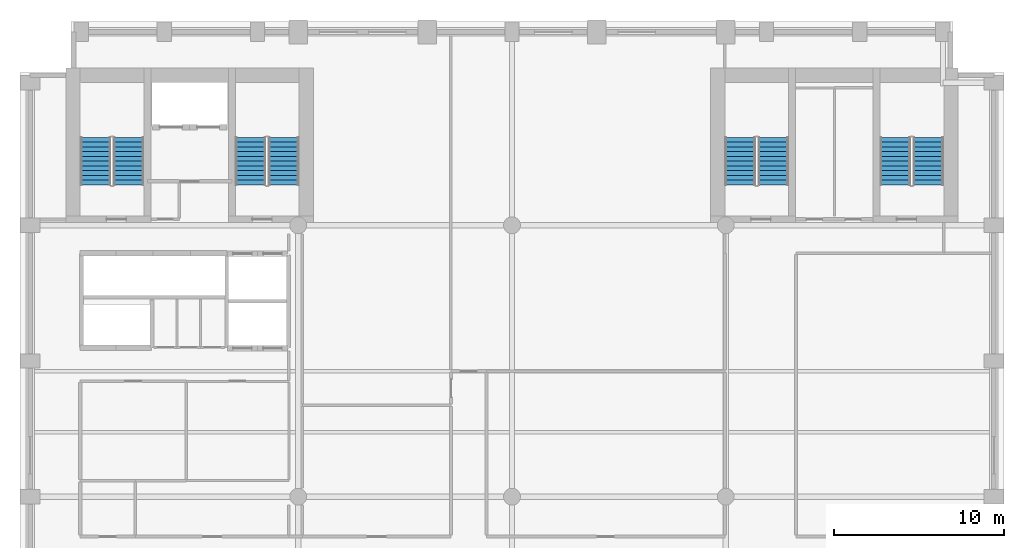
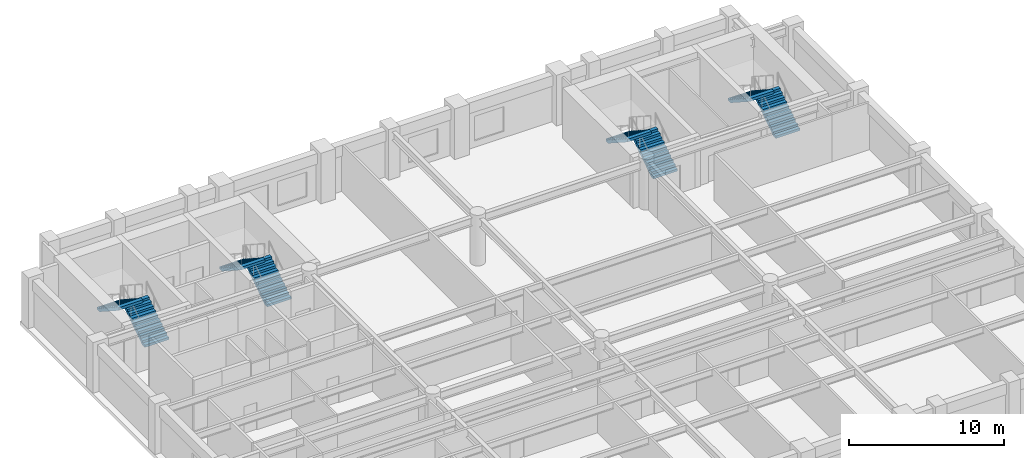
# One storey, part 6 of 8: 8 stair flights, 4 elements without a shape of their own.
"""IFC4 building model written with IfcOpenShell, lengths in metres."""

import ifcopenshell
import ifcopenshell.guid

model = None  # the IFC model being written
_history = None  # IfcOwnerHistory: only IFC2X3 demands one
_inside = {}  # id of a spatial element -> (the spatial element, [elements in it])
_under = {}  # id of a project, library or spatial element -> (it, [spatial elements below it])
_declared = {}  # id of a project -> (the project, [libraries it declares])
_typed = {}  # id of a type object -> (the type object, [elements of that type])
_made_of = {}  # id of a material, layer set ... -> (it, [elements and type objects made of it])


def new_model(schema):
    """Start an empty IFC model of exactly this schema.

    Asked for "IFC4X3", IfcOpenShell would pick the latest addendum, in which some entities
    have other attributes; the version numbers below select the first issue.
    IFC2X3 requires an IfcOwnerHistory on every rooted entity: one is made here for all.
    """
    global model, _history
    if schema == "IFC4X3":
        model = ifcopenshell.file(schema_version=(4, 3, 0, 0))
    else:
        model = ifcopenshell.file(schema=schema)
    _inside.clear()
    _under.clear()
    _declared.clear()
    _typed.clear()
    _made_of.clear()
    _history = None
    if model.schema == "IFC2X3":
        org = make("IfcOrganization", Name="unknown")
        user = make(
            "IfcPersonAndOrganization",
            ThePerson=make("IfcPerson", FamilyName="unknown"),
            TheOrganization=org,
        )
        app = make(
            "IfcApplication",
            ApplicationDeveloper=org,
            Version="unknown",
            ApplicationFullName="unknown",
            ApplicationIdentifier="unknown",
        )
        _history = make(
            "IfcOwnerHistory",
            OwningUser=user,
            OwningApplication=app,
            ChangeAction="ADDED",
            CreationDate=0,
        )
    return model


def make(cls, **values):
    """One entity of the class cls with the attributes given. An attribute that is None is left unset."""
    return model.create_entity(
        cls, **{name: value for name, value in values.items() if value is not None}
    )


def rooted(cls, **values):
    """An entity with a GlobalId (a new one), such as an element, a storey or a relation."""
    return make(cls, GlobalId=ifcopenshell.guid.new(), OwnerHistory=_history, **values)


def si_unit(unit_type, name, prefix=None):
    """IfcSIUnit, for example si_unit("LENGTHUNIT", "METRE", prefix="MILLI")."""
    return make("IfcSIUnit", UnitType=unit_type, Prefix=prefix, Name=name)


def assignment(units):
    """IfcUnitAssignment: the units of a project."""
    return None if units is None else make("IfcUnitAssignment", Units=units)


def point(xyz):
    """IfcCartesianPoint."""
    return None if xyz is None else make("IfcCartesianPoint", Coordinates=xyz)


def direction(xyz):
    """IfcDirection."""
    return None if xyz is None else make("IfcDirection", DirectionRatios=xyz)


def frame(location, z_axis=None, x_axis=None):
    """IfcAxis2Placement3D, a coordinate frame: its origin and axes. An axis left out is left unset."""
    return make(
        "IfcAxis2Placement3D",
        Location=point(location),
        Axis=direction(z_axis),
        RefDirection=direction(x_axis),
    )


def origin():
    """The frame at (0, 0, 0) with its axes left unset."""
    return frame((0.0, 0.0, 0.0))


def place(relative_to, where):
    """IfcLocalPlacement: puts the frame where relative to a parent placement (None: the world)."""
    return make(
        "IfcLocalPlacement", PlacementRelTo=relative_to, RelativePlacement=where
    )


def context(
    kind, dimensions, precision=None, world=None, true_north=None, identifier=None
):
    """IfcGeometricRepresentationContext, for example the 3D "Model" context."""
    return make(
        "IfcGeometricRepresentationContext",
        ContextIdentifier=identifier,
        ContextType=kind,
        CoordinateSpaceDimension=dimensions,
        Precision=precision,
        WorldCoordinateSystem=world,
        TrueNorth=true_north,
    )


def subcontext(parent, identifier, kind, view, scale=None):
    """IfcGeometricRepresentationSubContext, for example "Body" below "Model"."""
    return make(
        "IfcGeometricRepresentationSubContext",
        ContextIdentifier=identifier,
        ContextType=kind,
        ParentContext=parent,
        TargetScale=scale,
        TargetView=view,
    )


def project(units=None, contexts=None):
    """IfcProject with its units and contexts."""
    return rooted(
        "IfcProject",
        Name="project",
        RepresentationContexts=contexts,
        UnitsInContext=assignment(units),
    )


def spatial(cls, under=None, at=None, **own):
    """A site, building, storey or space (cls), placed at a placement, below another one or the project."""
    s = rooted(cls, ObjectPlacement=at, **own)
    if under is not None:
        _under.setdefault(under.id(), (under, []))[1].append(s)
    return s


def polyline(points):
    """IfcPolyline through the points."""
    return make("IfcPolyline", Points=[point(p) for p in points])


def outline(outer, holes=None, kind="AREA"):
    """IfcArbitraryClosedProfileDef: a profile drawn as a closed curve; with holes, ...WithVoids."""
    if holes is None:
        return make("IfcArbitraryClosedProfileDef", ProfileType=kind, OuterCurve=outer)
    return make(
        "IfcArbitraryProfileDefWithVoids",
        ProfileType=kind,
        OuterCurve=outer,
        InnerCurves=holes,
    )


def extrude(swept, where, along, depth):
    """IfcExtrudedAreaSolid: the profile swept, set in the frame where, extruded along a direction by depth."""
    return make(
        "IfcExtrudedAreaSolid",
        SweptArea=swept,
        Position=where,
        ExtrudedDirection=direction(along),
        Depth=depth,
    )


def shape(context_of_items, identifier, shape_type, items):
    """IfcShapeRepresentation: the items that make up one representation, for example the "Body"."""
    return make(
        "IfcShapeRepresentation",
        ContextOfItems=context_of_items,
        RepresentationIdentifier=identifier,
        RepresentationType=shape_type,
        Items=items,
    )


def material(Name=None, Category=None):
    """IfcMaterial."""
    return make("IfcMaterial", Name=Name, Category=Category)


def made_of(thing, what):
    """Note that an element or type object is made of a material, layer set ...; save() writes the relation."""
    if what is not None:
        _made_of.setdefault(what.id(), (what, []))[1].append(thing)
    return thing


def type_object(cls, material=None, **own):
    """A type object (cls), such as IfcWallType, which elements share."""
    return made_of(rooted(cls, **own), material)


def element(
    cls,
    number,
    at=None,
    inside=None,
    cuts=None,
    type_object=None,
    material=None,
    context=None,
    identifier="Body",
    shape_type=None,
    held_by="IfcProductDefinitionShape",
    body=None,
    shapes=None,
    **own,
):
    """One element of the class cls, such as IfcWall. Its Tag is "e" and its number.

    at: its placement. inside: the storey or other place that contains it. cuts: it is an
    opening in that element (IfcRelVoidsElement). A single representation is given by context,
    identifier, shape_type and body (its items); several are given by shapes. held_by: the class
    of the entity that holds the representations. save() writes the other relations.
    """
    e = rooted(cls, Tag="e%d" % number, ObjectPlacement=at, **own)
    if body is not None:
        shapes = [shape(context, identifier, shape_type, body)]
    if shapes is not None:
        e.Representation = make(held_by, Representations=shapes)
    if inside is not None:
        _inside.setdefault(inside.id(), (inside, []))[1].append(e)
    if cuts is not None:
        rooted(
            "IfcRelVoidsElement", RelatingBuildingElement=cuts, RelatedOpeningElement=e
        )
    if type_object is not None:
        _typed.setdefault(type_object.id(), (type_object, []))[1].append(e)
    return made_of(e, material)


def aggregate(whole, parts):
    """IfcRelAggregates: a whole, such as a stair, and the parts it consists of."""
    return rooted("IfcRelAggregates", RelatingObject=whole, RelatedObjects=parts)


def save(model, path):
    """Write the relations noted so far, then the file.

    IfcRelAggregates (storeys below a building ...), IfcRelContainedInSpatialStructure (elements
    in a storey), IfcRelDefinesByType, IfcRelAssociatesMaterial and IfcRelDeclares: one each for
    every whole, place, type object, material and project.
    """
    for whole, parts in _under.values():
        aggregate(whole, parts)
    for where, things in _inside.values():
        rooted(
            "IfcRelContainedInSpatialStructure",
            RelatedElements=things,
            RelatingStructure=where,
        )
    for kind, things in _typed.values():
        rooted("IfcRelDefinesByType", RelatedObjects=things, RelatingType=kind)
    for what, things in _made_of.values():
        rooted("IfcRelAssociatesMaterial", RelatedObjects=things, RelatingMaterial=what)
    for by, libraries in _declared.values():
        rooted("IfcRelDeclares", RelatingContext=by, RelatedDefinitions=libraries)
    model.write(path)


model = new_model("IFC4")

# Units and contexts
model_context = context("Model", 3, precision=1e-05, world=origin(), true_north=direction((0.0, 1.0)))
body_context = subcontext(model_context, "Body", "Model", "MODEL_VIEW")
ifc_project = project(units=[si_unit("LENGTHUNIT", "METRE"), si_unit("AREAUNIT", "SQUARE_METRE"), si_unit("VOLUMEUNIT", "CUBIC_METRE"), si_unit("PLANEANGLEUNIT", "RADIAN"), si_unit("MASSUNIT", "GRAM", prefix="KILO")], contexts=[model_context])

# Site, building, storey
site_placement = place(None, origin())
site = spatial("IfcSite", under=ifc_project, at=site_placement, CompositionType="ELEMENT")
building_placement = place(site_placement, origin())
building = spatial("IfcBuilding", under=site, at=building_placement, Name="Sulina Concourse Tower", CompositionType="ELEMENT")
storey_placement = place(building_placement, frame((0.0, 0.0, 108.60009765625)))
storey = spatial("IfcBuildingStorey", under=building, at=storey_placement, Name="L26", CompositionType="ELEMENT", Elevation=108.60009765625)

# Stair, stair flights
ifc_material_1 = material(Name="Concrete C50/60", Category="concrete")
stair_type_1 = type_object("IfcStairType", Name="Portal & Podium Core Exit Stair 1820mm", PredefinedType="HALF_TURN_STAIR", material=ifc_material_1)
stair_1_placement = place(storey_placement, origin())
stair_1 = element("IfcStair", 1, at=stair_1_placement, inside=storey, type_object=stair_type_1, Name="L26 ST-3", PredefinedType="HALF_TURN_STAIR")
ifc_material_2 = material(Name="Concrete C50/60", Category="concrete")
stair_flight_type_1 = type_object("IfcStairFlightType", Name="Portal & Podium Core Exit Stair 1820mm Flight", PredefinedType="STRAIGHT", material=ifc_material_2)
stair_flight_1_placement = place(storey_placement, frame((44.405029296875, 36.375, 0.0), z_axis=(0.0, 0.0, 1.0), x_axis=(0.0, 1.0, 0.0)))
stair_flight_1 = element("IfcStairFlight", 2, at=stair_flight_1_placement, type_object=stair_flight_type_1, Name="ST-3 flight 1", NumberOfRisers=11, NumberOfTreads=10, PredefinedType="STRAIGHT", RiserHeight=0.181818182, TreadLength=0.28, context=body_context, shape_type="SweptSolid", body=[
    extrude(outline(polyline([(0.0, 0.0), (0.0, 0.181884765625), (0.280029296875, 0.181884765625), (0.280029296875, 0.363525390625), (0.56005859375, 0.363525390625), (0.56005859375, 0.54541015625), (0.840087890625, 0.54541015625), (0.840087890625, 0.727294921875), (1.1201171875, 0.727294921875), (1.1201171875, 0.9091796875), (1.39990234375, 0.9091796875), (1.39990234375, 1.0908203125), (1.679931640625, 1.0908203125), (1.679931640625, 1.272705078125), (1.9599609375, 1.272705078125), (1.9599609375, 1.45458984375), (2.239990234375, 1.45458984375), (2.239990234375, 1.636474609375), (2.52001953125, 1.636474609375), (2.52001953125, 1.818115234375), (2.800048828125, 1.818115234375), (2.800048828125, 2.0), (2.800048828125, 1.603759765625), (0.330322265625, 0.0), (0.0, 0.0)])), frame((0.0, 0.89990234375, 0.0), z_axis=(0.0, -1.0, 0.0), x_axis=(1.0, 0.0, 0.0)), (0.0, 0.0, 1.0), 1.800048828125),
])
stair_flight_2_placement = place(storey_placement, frame((42.455078125, 39.175048828125, 2.0), z_axis=(0.0, 0.0, 1.0), x_axis=(0.0, -1.0, 0.0)))
stair_flight_2 = element("IfcStairFlight", 3, at=stair_flight_2_placement, type_object=stair_flight_type_1, Name="ST-3 flight 2", NumberOfRisers=11, NumberOfTreads=10, PredefinedType="STRAIGHT", RiserHeight=0.181818182, TreadLength=0.28, context=body_context, shape_type="SweptSolid", body=[
    extrude(outline(polyline([(0.0, 0.0), (0.0, 0.181884765625), (0.280029296875, 0.181884765625), (0.280029296875, 0.363525390625), (0.56005859375, 0.363525390625), (0.56005859375, 0.54541015625), (0.840087890625, 0.54541015625), (0.840087890625, 0.727294921875), (1.1201171875, 0.727294921875), (1.1201171875, 0.9091796875), (1.39990234375, 0.9091796875), (1.39990234375, 1.0908203125), (1.679931640625, 1.0908203125), (1.679931640625, 1.272705078125), (1.9599609375, 1.272705078125), (1.9599609375, 1.45458984375), (2.239990234375, 1.45458984375), (2.239990234375, 1.636474609375), (2.52001953125, 1.636474609375), (2.52001953125, 1.818115234375), (2.800048828125, 1.818115234375), (2.800048828125, 2.0), (2.800048828125, 1.603759765625), (0.330322265625, 0.0), (0.0, 0.0)])), frame((0.0, 0.89990234375, 0.0), z_axis=(0.0, -1.0, 0.0), x_axis=(1.0, 0.0, 0.0)), (0.0, 0.0, 1.0), 1.800048828125),
])
aggregate(stair_1, [stair_flight_1, stair_flight_2])

stair_2_placement = place(storey_placement, origin())
stair_2 = element("IfcStair", 4, at=stair_2_placement, inside=storey, type_object=stair_type_1, Name="L26 ST-4", PredefinedType="HALF_TURN_STAIR")
stair_flight_3_placement = place(storey_placement, frame((53.544921875, 36.375, 0.0), z_axis=(0.0, 0.0, 1.0), x_axis=(0.0, 1.0, 0.0)))
stair_flight_3 = element("IfcStairFlight", 5, at=stair_flight_3_placement, type_object=stair_flight_type_1, Name="ST-4 flight 1", NumberOfRisers=11, NumberOfTreads=10, PredefinedType="STRAIGHT", RiserHeight=0.181818182, TreadLength=0.28, context=body_context, shape_type="SweptSolid", body=[
    extrude(outline(polyline([(0.0, 0.0), (0.0, 0.181884765625), (0.280029296875, 0.181884765625), (0.280029296875, 0.363525390625), (0.56005859375, 0.363525390625), (0.56005859375, 0.54541015625), (0.840087890625, 0.54541015625), (0.840087890625, 0.727294921875), (1.1201171875, 0.727294921875), (1.1201171875, 0.9091796875), (1.39990234375, 0.9091796875), (1.39990234375, 1.0908203125), (1.679931640625, 1.0908203125), (1.679931640625, 1.272705078125), (1.9599609375, 1.272705078125), (1.9599609375, 1.45458984375), (2.239990234375, 1.45458984375), (2.239990234375, 1.636474609375), (2.52001953125, 1.636474609375), (2.52001953125, 1.818115234375), (2.800048828125, 1.818115234375), (2.800048828125, 2.0), (2.800048828125, 1.603759765625), (0.330322265625, 0.0), (0.0, 0.0)])), frame((0.0, 0.89990234375, 0.0), z_axis=(0.0, -1.0, 0.0), x_axis=(1.0, 0.0, 0.0)), (0.0, 0.0, 1.0), 1.800048828125),
])
stair_flight_4_placement = place(storey_placement, frame((51.594970703125, 39.175048828125, 2.0), z_axis=(0.0, 0.0, 1.0), x_axis=(0.0, -1.0, 0.0)))
stair_flight_4 = element("IfcStairFlight", 6, at=stair_flight_4_placement, type_object=stair_flight_type_1, Name="ST-4 flight 2", NumberOfRisers=11, NumberOfTreads=10, PredefinedType="STRAIGHT", RiserHeight=0.181818182, TreadLength=0.28, context=body_context, shape_type="SweptSolid", body=[
    extrude(outline(polyline([(0.0, 0.0), (0.0, 0.181884765625), (0.280029296875, 0.181884765625), (0.280029296875, 0.363525390625), (0.56005859375, 0.363525390625), (0.56005859375, 0.54541015625), (0.840087890625, 0.54541015625), (0.840087890625, 0.727294921875), (1.1201171875, 0.727294921875), (1.1201171875, 0.9091796875), (1.39990234375, 0.9091796875), (1.39990234375, 1.0908203125), (1.679931640625, 1.0908203125), (1.679931640625, 1.272705078125), (1.9599609375, 1.272705078125), (1.9599609375, 1.45458984375), (2.239990234375, 1.45458984375), (2.239990234375, 1.636474609375), (2.52001953125, 1.636474609375), (2.52001953125, 1.818115234375), (2.800048828125, 1.818115234375), (2.800048828125, 2.0), (2.800048828125, 1.603759765625), (0.330322265625, 0.0), (0.0, 0.0)])), frame((0.0, 0.89990234375, 0.0), z_axis=(0.0, -1.0, 0.0), x_axis=(1.0, 0.0, 0.0)), (0.0, 0.0, 1.0), 1.800048828125),
])
aggregate(stair_2, [stair_flight_3, stair_flight_4])

ifc_material_3 = material(Name="Concrete C50/60", Category="concrete")
stair_type_2 = type_object("IfcStairType", Name="Primary Core Dog-Leg Exit Stair 1800mm", PredefinedType="HALF_TURN_STAIR", material=ifc_material_3)
stair_3_placement = place(storey_placement, origin())
stair_3 = element("IfcStair", 7, at=stair_3_placement, inside=storey, type_object=stair_type_2, Name="L26 ST-1", PredefinedType="HALF_TURN_STAIR")
ifc_material_4 = material(Name="Concrete C50/60", Category="concrete")
stair_flight_type_2 = type_object("IfcStairFlightType", Name="Primary Core Dog-Leg Exit Stair 1800mm Flight", PredefinedType="STRAIGHT", material=ifc_material_4)
stair_flight_5_placement = place(storey_placement, frame((6.405029296875, 36.375, 0.0), z_axis=(0.0, 0.0, 1.0), x_axis=(0.0, 1.0, 0.0)))
stair_flight_5 = element("IfcStairFlight", 8, at=stair_flight_5_placement, type_object=stair_flight_type_2, Name="ST-1 flight 1", NumberOfRisers=11, NumberOfTreads=10, PredefinedType="STRAIGHT", RiserHeight=0.181818182, TreadLength=0.28, context=body_context, shape_type="SweptSolid", body=[
    extrude(outline(polyline([(0.0, 0.0), (0.0, 0.181884765625), (0.280029296875, 0.181884765625), (0.280029296875, 0.363525390625), (0.56005859375, 0.363525390625), (0.56005859375, 0.54541015625), (0.840087890625, 0.54541015625), (0.840087890625, 0.727294921875), (1.1201171875, 0.727294921875), (1.1201171875, 0.9091796875), (1.39990234375, 0.9091796875), (1.39990234375, 1.0908203125), (1.679931640625, 1.0908203125), (1.679931640625, 1.272705078125), (1.9599609375, 1.272705078125), (1.9599609375, 1.45458984375), (2.239990234375, 1.45458984375), (2.239990234375, 1.636474609375), (2.52001953125, 1.636474609375), (2.52001953125, 1.818115234375), (2.800048828125, 1.818115234375), (2.800048828125, 2.0), (2.800048828125, 1.603759765625), (0.330322265625, 0.0), (0.0, 0.0)])), frame((0.0, 0.89990234375, 0.0), z_axis=(0.0, -1.0, 0.0), x_axis=(1.0, 0.0, 0.0)), (0.0, 0.0, 1.0), 1.800048828125),
])
stair_flight_6_placement = place(storey_placement, frame((4.455078125, 39.175048828125, 2.0), z_axis=(0.0, 0.0, 1.0), x_axis=(0.0, -1.0, 0.0)))
stair_flight_6 = element("IfcStairFlight", 9, at=stair_flight_6_placement, type_object=stair_flight_type_2, Name="ST-1 flight 2", NumberOfRisers=11, NumberOfTreads=10, PredefinedType="STRAIGHT", RiserHeight=0.181818182, TreadLength=0.28, context=body_context, shape_type="SweptSolid", body=[
    extrude(outline(polyline([(0.0, 0.0), (0.0, 0.181884765625), (0.280029296875, 0.181884765625), (0.280029296875, 0.363525390625), (0.56005859375, 0.363525390625), (0.56005859375, 0.54541015625), (0.840087890625, 0.54541015625), (0.840087890625, 0.727294921875), (1.1201171875, 0.727294921875), (1.1201171875, 0.9091796875), (1.39990234375, 0.9091796875), (1.39990234375, 1.0908203125), (1.679931640625, 1.0908203125), (1.679931640625, 1.272705078125), (1.9599609375, 1.272705078125), (1.9599609375, 1.45458984375), (2.239990234375, 1.45458984375), (2.239990234375, 1.636474609375), (2.52001953125, 1.636474609375), (2.52001953125, 1.818115234375), (2.800048828125, 1.818115234375), (2.800048828125, 2.0), (2.800048828125, 1.603759765625), (0.330322265625, 0.0), (0.0, 0.0)])), frame((0.0, 0.89990234375, 0.0), z_axis=(0.0, -1.0, 0.0), x_axis=(1.0, 0.0, 0.0)), (0.0, 0.0, 1.0), 1.800048828125),
])
aggregate(stair_3, [stair_flight_5, stair_flight_6])

stair_4_placement = place(storey_placement, origin())
stair_4 = element("IfcStair", 10, at=stair_4_placement, inside=storey, type_object=stair_type_2, Name="L26 ST-2", PredefinedType="HALF_TURN_STAIR")
stair_flight_7_placement = place(storey_placement, frame((15.544921875, 36.375, 0.0), z_axis=(0.0, 0.0, 1.0), x_axis=(0.0, 1.0, 0.0)))
stair_flight_7 = element("IfcStairFlight", 11, at=stair_flight_7_placement, type_object=stair_flight_type_2, Name="ST-2 flight 1", NumberOfRisers=11, NumberOfTreads=10, PredefinedType="STRAIGHT", RiserHeight=0.181818182, TreadLength=0.28, context=body_context, shape_type="SweptSolid", body=[
    extrude(outline(polyline([(0.0, 0.0), (0.0, 0.181884765625), (0.280029296875, 0.181884765625), (0.280029296875, 0.363525390625), (0.56005859375, 0.363525390625), (0.56005859375, 0.54541015625), (0.840087890625, 0.54541015625), (0.840087890625, 0.727294921875), (1.1201171875, 0.727294921875), (1.1201171875, 0.9091796875), (1.39990234375, 0.9091796875), (1.39990234375, 1.0908203125), (1.679931640625, 1.0908203125), (1.679931640625, 1.272705078125), (1.9599609375, 1.272705078125), (1.9599609375, 1.45458984375), (2.239990234375, 1.45458984375), (2.239990234375, 1.636474609375), (2.52001953125, 1.636474609375), (2.52001953125, 1.818115234375), (2.800048828125, 1.818115234375), (2.800048828125, 2.0), (2.800048828125, 1.603759765625), (0.330322265625, 0.0), (0.0, 0.0)])), frame((0.0, 0.89990234375, 0.0), z_axis=(0.0, -1.0, 0.0), x_axis=(1.0, 0.0, 0.0)), (0.0, 0.0, 1.0), 1.800048828125),
])
stair_flight_8_placement = place(storey_placement, frame((13.594970703125, 39.175048828125, 2.0), z_axis=(0.0, 0.0, 1.0), x_axis=(0.0, -1.0, 0.0)))
stair_flight_8 = element("IfcStairFlight", 12, at=stair_flight_8_placement, type_object=stair_flight_type_2, Name="ST-2 flight 2", NumberOfRisers=11, NumberOfTreads=10, PredefinedType="STRAIGHT", RiserHeight=0.181818182, TreadLength=0.28, context=body_context, shape_type="SweptSolid", body=[
    extrude(outline(polyline([(0.0, 0.0), (0.0, 0.181884765625), (0.280029296875, 0.181884765625), (0.280029296875, 0.363525390625), (0.56005859375, 0.363525390625), (0.56005859375, 0.54541015625), (0.840087890625, 0.54541015625), (0.840087890625, 0.727294921875), (1.1201171875, 0.727294921875), (1.1201171875, 0.9091796875), (1.39990234375, 0.9091796875), (1.39990234375, 1.0908203125), (1.679931640625, 1.0908203125), (1.679931640625, 1.272705078125), (1.9599609375, 1.272705078125), (1.9599609375, 1.45458984375), (2.239990234375, 1.45458984375), (2.239990234375, 1.636474609375), (2.52001953125, 1.636474609375), (2.52001953125, 1.818115234375), (2.800048828125, 1.818115234375), (2.800048828125, 2.0), (2.800048828125, 1.603759765625), (0.330322265625, 0.0), (0.0, 0.0)])), frame((0.0, 0.89990234375, 0.0), z_axis=(0.0, -1.0, 0.0), x_axis=(1.0, 0.0, 0.0)), (0.0, 0.0, 1.0), 1.800048828125),
])
aggregate(stair_4, [stair_flight_7, stair_flight_8])

save(model, "model.ifc")
